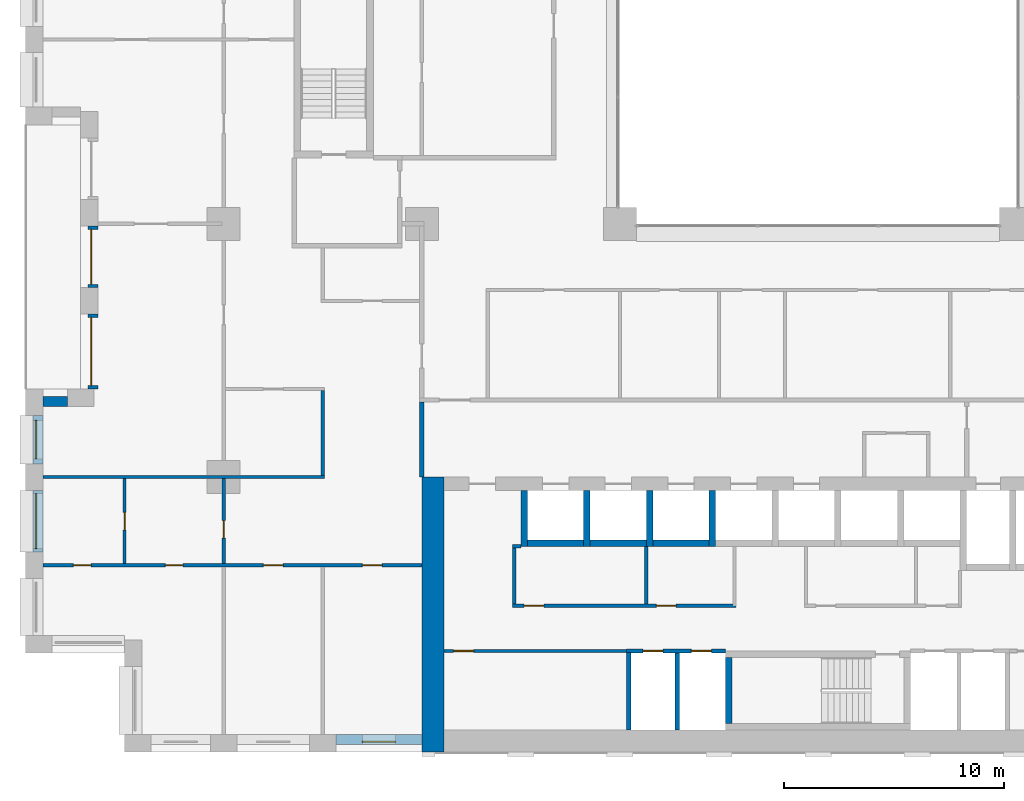
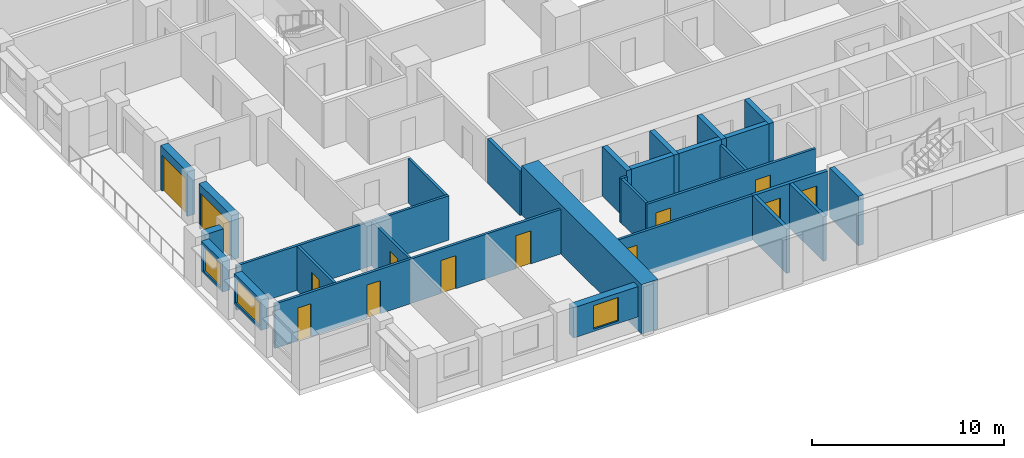
# One storey, part 9 of 20: 29 walls, 13 doors, 3 windows, 16 openings.
"""IFC4 building model written with IfcOpenShell, lengths in metres."""

from ifc_helpers import new_model, si_unit, direction, frame, frame_2d, origin, place, context, subcontext, project, spatial, rectangle, extrude, material, layer, layer_set, type_object, element, fill, save


model = new_model("IFC4")

# Units and contexts
model_context = context("Model", 3, precision=1e-05, world=origin(), true_north=direction((0.0, 1.0)))
body_context = subcontext(model_context, "Body", "Model", "MODEL_VIEW")
ifc_project = project(units=[si_unit("LENGTHUNIT", "METRE"), si_unit("AREAUNIT", "SQUARE_METRE"), si_unit("VOLUMEUNIT", "CUBIC_METRE"), si_unit("PLANEANGLEUNIT", "RADIAN"), si_unit("MASSUNIT", "GRAM", prefix="KILO")], contexts=[model_context])

# Site, building, storey
site_placement = place(None, origin())
site = spatial("IfcSite", under=ifc_project, at=site_placement, CompositionType="ELEMENT")
building_placement = place(site_placement, origin())
building = spatial("IfcBuilding", under=site, at=building_placement, Name="Brigalow Station Residences", CompositionType="ELEMENT")
storey_placement = place(building_placement, frame((0.0, 0.0, 60.449951171875)))
storey = spatial("IfcBuildingStorey", under=building, at=storey_placement, Name="L17", CompositionType="ELEMENT", Elevation=60.449951171875)

# Wall, opening, window
ifc_material_1 = material(Name="Clay brick masonry", Category="masonry")
ifc_layer_1 = layer(ifc_material_1, 0.449951171875)
ifc_layer_set_1 = layer_set([ifc_layer_1], Name="BRICK INFILL WALL 450")
wall_type_1 = type_object("IfcWallType", Name="BRICK INFILL WALL 450", PredefinedType="SOLIDWALL", material=ifc_layer_set_1)
wall_1_placement = place(storey_placement, frame((14.10009765625, 0.574951171875, 0.900146484375), z_axis=(0.0, 0.0, 1.0), x_axis=(1.0, 0.0, 0.0)))
wall_1 = element("IfcWall", 1, at=wall_1_placement, inside=storey, type_object=wall_type_1, Name="L17/ewall/W-L17-3", PredefinedType="SOLIDWALL", context=body_context, shape_type="SweptSolid", body=[
    extrude(rectangle(XDim=3.89990234375, YDim=0.449951171875, at=frame_2d((1.949951171875, 0.0))), origin(), (0.0, 0.0, 1.0), 1.929931640625),
])
opening_1_placement = place(wall_1_placement, frame((1.199951171875, 0.0, 0.14990234375)))
opening_1 = element("IfcOpeningElement", 2, at=opening_1_placement, cuts=wall_1, Name="Opening WT-1", PredefinedType="OPENING", context=body_context, shape_type="SweptSolid", body=[
    extrude(rectangle(XDim=1.5, YDim=1.5, at=frame_2d((0.75, 0.75))), frame((0.0, 0.23486328125, 0.0), z_axis=(0.0, -1.0, 0.0), x_axis=(1.0, 0.0, 0.0)), (0.0, 0.0, 1.0), 0.469970703125),
])
ifc_material_2 = material(Name="Anodised aluminium frame with double glazing", Category="aluminium")
window_type_1 = type_object("IfcWindowType", Name="WINDOW 1500x1500", PartitioningType="SINGLE_PANEL", PredefinedType="WINDOW", material=ifc_material_2)
window_1_placement = place(opening_1_placement, origin())
window_1 = element("IfcWindow", 3, at=window_1_placement, inside=storey, type_object=window_type_1, Name="L17/window/W-L17-3", OverallHeight=1.5, OverallWidth=1.5, PartitioningType="SINGLE_PANEL", PredefinedType="WINDOW", context=body_context, shape_type="SweptSolid", body=[
    extrude(rectangle(XDim=1.5, YDim=1.5, at=frame_2d((0.75, 0.75))), frame((0.0, -0.06494140625, 0.0), z_axis=(0.0, -1.0, 0.0), x_axis=(1.0, 0.0, 0.0)), (0.0, 0.0, 1.0), 0.06005859375),
])
fill(opening_1, window_1)

# Wall, opening, door
wall_2_placement = place(storey_placement, frame((3.074951171875, 23.89990234375, 0.0), z_axis=(0.0, 0.0, 1.0), x_axis=(0.0, -1.0, 0.0)))
wall_2 = element("IfcWall", 4, at=wall_2_placement, inside=storey, type_object=wall_type_1, Name="L17/ewall/W-L17-48", PredefinedType="SOLIDWALL", context=body_context, shape_type="SweptSolid", body=[
    extrude(rectangle(XDim=2.7998046875, YDim=0.449951171875, at=frame_2d((1.39990234375, 0.0))), origin(), (0.0, 0.0, 1.0), 2.830078125),
])
opening_2_placement = place(wall_2_placement, frame((0.14990234375, 0.0, 0.0)))
opening_2 = element("IfcOpeningElement", 5, at=opening_2_placement, cuts=wall_2, Name="Opening D-B2500", PredefinedType="OPENING", context=body_context, shape_type="SweptSolid", body=[
    extrude(rectangle(XDim=2.5, YDim=2.300048828125, at=frame_2d((1.25, 1.14990234375))), frame((0.0, 0.23486328125, 0.0), z_axis=(0.0, -1.0, 0.0), x_axis=(1.0, 0.0, 0.0)), (0.0, 0.0, 1.0), 0.469970703125),
])
ifc_material_3 = material(Name="Anodised aluminium frame with double glazing", Category="aluminium")
door_type_1 = type_object("IfcDoorType", Name="BALCONY SLIDING DOOR 2500x2300", OperationType="SLIDING_TO_LEFT", PredefinedType="DOOR", material=ifc_material_3)
door_1_placement = place(opening_2_placement, origin())
door_1 = element("IfcDoor", 6, at=door_1_placement, inside=storey, type_object=door_type_1, Name="L17/balcony-door/W-L17-48", OperationType="SLIDING_TO_LEFT", OverallHeight=2.300048828125, OverallWidth=2.5, PredefinedType="DOOR", context=body_context, shape_type="SweptSolid", body=[
    extrude(rectangle(XDim=2.5, YDim=2.300048828125, at=frame_2d((1.25, 1.14990234375))), frame((0.0, -0.06982421875, 0.0), z_axis=(0.0, -1.0, 0.0), x_axis=(1.0, 0.0, 0.0)), (0.0, 0.0, 1.0), 0.050048828125),
])
fill(opening_2, door_1)

wall_3_placement = place(storey_placement, frame((3.074951171875, 19.89990234375, 0.0), z_axis=(0.0, 0.0, 1.0), x_axis=(0.0, -1.0, 0.0)))
wall_3 = element("IfcWall", 7, at=wall_3_placement, inside=storey, type_object=wall_type_1, Name="L17/ewall/W-L17-49", PredefinedType="SOLIDWALL", context=body_context, shape_type="SweptSolid", body=[
    extrude(rectangle(XDim=3.39990234375, YDim=0.449951171875, at=frame_2d((1.699951171875, 0.0))), origin(), (0.0, 0.0, 1.0), 2.830078125),
])
opening_3_placement = place(wall_3_placement, frame((0.14990234375, 0.0, 0.0)))
opening_3 = element("IfcOpeningElement", 8, at=opening_3_placement, cuts=wall_3, Name="Opening D-B3100", PredefinedType="OPENING", context=body_context, shape_type="SweptSolid", body=[
    extrude(rectangle(XDim=3.10009765625, YDim=2.300048828125, at=frame_2d((1.550048828125, 1.14990234375))), frame((0.0, 0.23486328125, 0.0), z_axis=(0.0, -1.0, 0.0), x_axis=(1.0, 0.0, 0.0)), (0.0, 0.0, 1.0), 0.469970703125),
])
ifc_material_4 = material(Name="Anodised aluminium frame with double glazing", Category="aluminium")
door_type_2 = type_object("IfcDoorType", Name="BALCONY SLIDING DOOR 3100x2300", OperationType="SLIDING_TO_LEFT", PredefinedType="DOOR", material=ifc_material_4)
door_2_placement = place(opening_3_placement, origin())
door_2 = element("IfcDoor", 9, at=door_2_placement, inside=storey, type_object=door_type_2, Name="L17/balcony-door/W-L17-49", OperationType="SLIDING_TO_LEFT", OverallHeight=2.300048828125, OverallWidth=3.10009765625, PredefinedType="DOOR", context=body_context, shape_type="SweptSolid", body=[
    extrude(rectangle(XDim=3.10009765625, YDim=2.300048828125, at=frame_2d((1.550048828125, 1.14990234375))), frame((0.0, -0.06982421875, 0.0), z_axis=(0.0, -1.0, 0.0), x_axis=(1.0, 0.0, 0.0)), (0.0, 0.0, 1.0), 0.050048828125),
])
fill(opening_3, door_2)

# Wall
wall_4_placement = place(storey_placement, frame((1.89990234375, 15.925048828125, 0.900146484375), z_axis=(0.0, 0.0, 1.0), x_axis=(-1.0, 0.0, 0.0)))
element("IfcWall", 10, at=wall_4_placement, inside=storey, type_object=wall_type_1, Name="L17/ewall/W-L17-50", PredefinedType="SOLIDWALL", context=body_context, shape_type="SweptSolid", body=[
    extrude(rectangle(XDim=1.099853515625, YDim=0.449951171875, at=frame_2d((0.5498046875, 0.0))), origin(), (0.0, 0.0, 1.0), 1.929931640625),
])

# Wall, opening, window
wall_5_placement = place(storey_placement, frame((0.574951171875, 15.300048828125, 0.900146484375), z_axis=(0.0, 0.0, 1.0), x_axis=(0.0, -1.0, 0.0)))
wall_5 = element("IfcWall", 11, at=wall_5_placement, inside=storey, type_object=wall_type_1, Name="L17/ewall/W-L17-51", PredefinedType="SOLIDWALL", context=body_context, shape_type="SweptSolid", body=[
    extrude(rectangle(XDim=2.199951171875, YDim=0.449951171875, at=frame_2d((1.10009765625, 0.0))), origin(), (0.0, 0.0, 1.0), 1.929931640625),
])
opening_4_placement = place(wall_5_placement, frame((0.22509765625, 0.0, 0.14990234375)))
opening_4 = element("IfcOpeningElement", 12, at=opening_4_placement, cuts=wall_5, Name="Opening WT-4", PredefinedType="OPENING", context=body_context, shape_type="SweptSolid", body=[
    extrude(rectangle(XDim=1.75, YDim=1.5, at=frame_2d((0.875, 0.75))), frame((0.0, 0.23486328125, 0.0), z_axis=(0.0, -1.0, 0.0), x_axis=(1.0, 0.0, 0.0)), (0.0, 0.0, 1.0), 0.469970703125),
])
ifc_material_5 = material(Name="Anodised aluminium frame with double glazing", Category="aluminium")
window_type_2 = type_object("IfcWindowType", Name="WINDOW 1750x1500", PartitioningType="SINGLE_PANEL", PredefinedType="WINDOW", material=ifc_material_5)
window_2_placement = place(opening_4_placement, origin())
window_2 = element("IfcWindow", 13, at=window_2_placement, inside=storey, type_object=window_type_2, Name="L17/window/W-L17-51", OverallHeight=1.5, OverallWidth=1.75, PartitioningType="SINGLE_PANEL", PredefinedType="WINDOW", context=body_context, shape_type="SweptSolid", body=[
    extrude(rectangle(XDim=1.75, YDim=1.5, at=frame_2d((0.875, 0.75))), frame((0.0, -0.06494140625, 0.0), z_axis=(0.0, -1.0, 0.0), x_axis=(1.0, 0.0, 0.0)), (0.0, 0.0, 1.0), 0.06005859375),
])
fill(opening_4, window_2)

wall_6_placement = place(storey_placement, frame((0.574951171875, 11.89990234375, 0.900146484375), z_axis=(0.0, 0.0, 1.0), x_axis=(0.0, -1.0, 0.0)))
wall_6 = element("IfcWall", 14, at=wall_6_placement, inside=storey, type_object=wall_type_1, Name="L17/ewall/W-L17-52", PredefinedType="SOLIDWALL", context=body_context, shape_type="SweptSolid", body=[
    extrude(rectangle(XDim=2.7998046875, YDim=0.449951171875, at=frame_2d((1.39990234375, 0.0))), origin(), (0.0, 0.0, 1.0), 1.929931640625),
])
opening_5_placement = place(wall_6_placement, frame((0.14990234375, 0.0, 0.14990234375)))
opening_5 = element("IfcOpeningElement", 15, at=opening_5_placement, cuts=wall_6, Name="Opening WT-5", PredefinedType="OPENING", context=body_context, shape_type="SweptSolid", body=[
    extrude(rectangle(XDim=2.5, YDim=1.5, at=frame_2d((1.25, 0.75))), frame((0.0, 0.23486328125, 0.0), z_axis=(0.0, -1.0, 0.0), x_axis=(1.0, 0.0, 0.0)), (0.0, 0.0, 1.0), 0.469970703125),
])
ifc_material_6 = material(Name="Anodised aluminium frame with double glazing", Category="aluminium")
window_type_3 = type_object("IfcWindowType", Name="WINDOW 2500x1500", PartitioningType="SINGLE_PANEL", PredefinedType="WINDOW", material=ifc_material_6)
window_3_placement = place(opening_5_placement, origin())
window_3 = element("IfcWindow", 16, at=window_3_placement, inside=storey, type_object=window_type_3, Name="L17/window/W-L17-52", OverallHeight=1.5, OverallWidth=2.5, PartitioningType="SINGLE_PANEL", PredefinedType="WINDOW", context=body_context, shape_type="SweptSolid", body=[
    extrude(rectangle(XDim=2.5, YDim=1.5, at=frame_2d((1.25, 0.75))), frame((0.0, -0.06494140625, 0.0), z_axis=(0.0, -1.0, 0.0), x_axis=(1.0, 0.0, 0.0)), (0.0, 0.0, 1.0), 0.06005859375),
])
fill(opening_5, window_3)

# Walls
ifc_material_7 = material(Name="Concrete C80", Category="concrete")
ifc_layer_2 = layer(ifc_material_7, 1.0)
ifc_layer_set_2 = layer_set([ifc_layer_2], Name="CORE SHEAR WALL 1000 C80")
wall_type_2 = type_object("IfcWallType", Name="CORE SHEAR WALL 1000 C80", PredefinedType="SHEAR", material=ifc_layer_set_2)
wall_7_placement = place(storey_placement, frame((18.5, 0.0, 0.0), z_axis=(0.0, 0.0, 1.0), x_axis=(0.0, 1.0, 0.0)))
element("IfcWall", 17, at=wall_7_placement, inside=storey, type_object=wall_type_2, Name="CORE WALL OUT-W L17", PredefinedType="SHEAR", context=body_context, shape_type="SweptSolid", body=[
    extrude(rectangle(XDim=12.5, YDim=1.0, at=frame_2d((6.25, 0.0))), origin(), (0.0, 0.0, 1.0), 3.150146484375),
])
ifc_material_8 = material(Name="Concrete C80", Category="concrete")
ifc_layer_3 = layer(ifc_material_8, 0.300048828125)
ifc_layer_set_3 = layer_set([ifc_layer_3], Name="CORE SHEAR WALL 300 C80")
wall_type_3 = type_object("IfcWallType", Name="CORE SHEAR WALL 300 C80", PredefinedType="SHEAR", material=ifc_layer_set_3)
wall_8_placement = place(storey_placement, frame((22.800048828125, 9.5, 0.0), z_axis=(0.0, 0.0, 1.0), x_axis=(1.0, 0.0, 0.0)))
element("IfcWall", 18, at=wall_8_placement, inside=storey, type_object=wall_type_3, Name="CORE WALL SH-P1-S L17", PredefinedType="SHEAR", context=body_context, shape_type="SweptSolid", body=[
    extrude(rectangle(XDim=2.550048828125, YDim=0.300048828125, at=frame_2d((1.27490234375, 0.0))), origin(), (0.0, 0.0, 1.0), 3.150146484375),
])
wall_9_placement = place(storey_placement, frame((22.64990234375, 9.35009765625, 0.0), z_axis=(0.0, 0.0, 1.0), x_axis=(0.0, 1.0, 0.0)))
element("IfcWall", 19, at=wall_9_placement, inside=storey, type_object=wall_type_3, Name="CORE WALL SH-P1-W L17", PredefinedType="SHEAR", context=body_context, shape_type="SweptSolid", body=[
    extrude(rectangle(XDim=2.5498046875, YDim=0.300048828125, at=frame_2d((1.27490234375, 0.0))), origin(), (0.0, 0.0, 1.0), 3.150146484375),
])
wall_10_placement = place(storey_placement, frame((25.64990234375, 9.5, 0.0), z_axis=(0.0, 0.0, 1.0), x_axis=(1.0, 0.0, 0.0)))
element("IfcWall", 20, at=wall_10_placement, inside=storey, type_object=wall_type_3, Name="CORE WALL SH-P2-S L17", PredefinedType="SHEAR", context=body_context, shape_type="SweptSolid", body=[
    extrude(rectangle(XDim=2.550048828125, YDim=0.300048828125, at=frame_2d((1.27490234375, 0.0))), origin(), (0.0, 0.0, 1.0), 3.150146484375),
])
wall_11_placement = place(storey_placement, frame((25.5, 9.35009765625, 0.0), z_axis=(0.0, 0.0, 1.0), x_axis=(0.0, 1.0, 0.0)))
element("IfcWall", 21, at=wall_11_placement, inside=storey, type_object=wall_type_3, Name="CORE WALL SH-P2-W L17", PredefinedType="SHEAR", context=body_context, shape_type="SweptSolid", body=[
    extrude(rectangle(XDim=2.5498046875, YDim=0.300048828125, at=frame_2d((1.27490234375, 0.0))), origin(), (0.0, 0.0, 1.0), 3.150146484375),
])
wall_12_placement = place(storey_placement, frame((28.5, 9.5, 0.0), z_axis=(0.0, 0.0, 1.0), x_axis=(1.0, 0.0, 0.0)))
element("IfcWall", 22, at=wall_12_placement, inside=storey, type_object=wall_type_3, Name="CORE WALL SH-P3-S L17", PredefinedType="SHEAR", context=body_context, shape_type="SweptSolid", body=[
    extrude(rectangle(XDim=2.550048828125, YDim=0.300048828125, at=frame_2d((1.27490234375, 0.0))), origin(), (0.0, 0.0, 1.0), 3.150146484375),
])
for number, where, z_axis, x_axis, name in (
    (23, (28.35009765625, 9.35009765625, 0.0), (0.0, 0.0, 1.0), (0.0, 1.0, 0.0), "CORE WALL SH-P3-W L17"),
    (24, (31.199951171875, 9.35009765625, 0.0), (0.0, 0.0, 1.0), (0.0, 1.0, 0.0), "CORE WALL SH-P4-W L17"),
):
    element("IfcWall", number, at=place(storey_placement, frame(where, z_axis=z_axis, x_axis=x_axis)), inside=storey, type_object=wall_type_3, Name=name, PredefinedType="SHEAR", context=body_context, shape_type="SweptSolid", body=[
        extrude(rectangle(XDim=2.5498046875, YDim=0.300048828125, at=frame_2d((1.27490234375, 0.0))), origin(), (0.0, 0.0, 1.0), 3.150146484375),
    ])
wall_13_placement = place(storey_placement, frame((31.949951171875, 1.300048828125, 0.0), z_axis=(0.0, 0.0, 1.0), x_axis=(0.0, 1.0, 0.0)))
element("IfcWall", 25, at=wall_13_placement, inside=storey, type_object=wall_type_3, Name="CORE WALL ST-S2-W L17", PredefinedType="SHEAR", context=body_context, shape_type="SweptSolid", body=[
    extrude(rectangle(XDim=3.0, YDim=0.300048828125, at=frame_2d((1.5, 0.0))), origin(), (0.0, 0.0, 1.0), 3.150146484375),
])

# Wall, openings, doors
ifc_material_9 = material(Name="Concrete blockwork", Category="masonry")
ifc_layer_4 = layer(ifc_material_9, 0.199951171875)
ifc_layer_set_4 = layer_set([ifc_layer_4], Name="FIRE RATED CORE PARTITION 200")
wall_type_4 = type_object("IfcWallType", Name="FIRE RATED CORE PARTITION 200", PredefinedType="PARTITIONING", material=ifc_layer_set_4)
wall_14_placement = place(storey_placement, frame((27.300048828125, 4.60009765625, 0.0), z_axis=(0.0, 0.0, 1.0), x_axis=(1.0, 0.0, 0.0)))
wall_14 = element("IfcWall", 26, at=wall_14_placement, inside=storey, type_object=wall_type_4, Name="PW-5017", PredefinedType="PARTITIONING", context=body_context, shape_type="SweptSolid", body=[
    extrude(rectangle(XDim=4.5, YDim=0.199951171875, at=frame_2d((2.25, 0.0))), origin(), (0.0, 0.0, 1.0), 2.830078125),
])
opening_6_placement = place(wall_14_placement, frame((0.75, 0.0, 0.0)))
opening_6 = element("IfcOpeningElement", 27, at=opening_6_placement, cuts=wall_14, Name="Opening D-5007", PredefinedType="OPENING", context=body_context, shape_type="SweptSolid", body=[
    extrude(rectangle(XDim=0.89990234375, YDim=2.10009765625, at=frame_2d((0.449951171875, 1.050048828125))), frame((0.0, 0.10986328125, 0.0), z_axis=(0.0, -1.0, 0.0), x_axis=(1.0, 0.0, 0.0)), (0.0, 0.0, 1.0), 0.219970703125),
])
opening_7_placement = place(wall_14_placement, frame((2.949951171875, 0.0, 0.0)))
opening_7 = element("IfcOpeningElement", 28, at=opening_7_placement, cuts=wall_14, Name="Opening D-5008", PredefinedType="OPENING", context=body_context, shape_type="SweptSolid", body=[
    extrude(rectangle(XDim=0.89990234375, YDim=2.10009765625, at=frame_2d((0.449951171875, 1.050048828125))), frame((0.0, 0.10986328125, 0.0), z_axis=(0.0, -1.0, 0.0), x_axis=(1.0, 0.0, 0.0)), (0.0, 0.0, 1.0), 0.219970703125),
])
ifc_material_10 = material(Name="Steel fire door leaf in steel frame", Category="steel")
door_type_3 = type_object("IfcDoorType", Name="RISER ACCESS DOOR 900 x 2100 FD120", OperationType="SINGLE_SWING_LEFT", PredefinedType="DOOR", material=ifc_material_10)
door_3_placement = place(opening_6_placement, frame((0.89990234375, 0.0, 0.0), z_axis=(0.0, 0.0, 1.0), x_axis=(-1.0, 0.0, 0.0)))
door_3 = element("IfcDoor", 29, at=door_3_placement, inside=storey, type_object=door_type_3, Name="D-5007", OperationType="SINGLE_SWING_RIGHT", OverallHeight=2.10009765625, OverallWidth=0.89990234375, PredefinedType="DOOR", context=body_context, shape_type="SweptSolid", body=[
    extrude(rectangle(XDim=0.89990234375, YDim=2.10009765625, at=frame_2d((0.449951171875, 1.050048828125))), frame((0.0, 0.02490234375, 0.0), z_axis=(0.0, -1.0, 0.0), x_axis=(1.0, 0.0, 0.0)), (0.0, 0.0, 1.0), 0.050048828125),
])
fill(opening_6, door_3)
door_4_placement = place(opening_7_placement, frame((0.89990234375, 0.0, 0.0), z_axis=(0.0, 0.0, 1.0), x_axis=(-1.0, 0.0, 0.0)))
door_4 = element("IfcDoor", 30, at=door_4_placement, inside=storey, type_object=door_type_3, Name="D-5008", OperationType="SINGLE_SWING_RIGHT", OverallHeight=2.10009765625, OverallWidth=0.89990234375, PredefinedType="DOOR", context=body_context, shape_type="SweptSolid", body=[
    extrude(rectangle(XDim=0.89990234375, YDim=2.10009765625, at=frame_2d((0.449951171875, 1.050048828125))), frame((0.0, 0.02490234375, 0.0), z_axis=(0.0, -1.0, 0.0), x_axis=(1.0, 0.0, 0.0)), (0.0, 0.0, 1.0), 0.050048828125),
])
fill(opening_7, door_4)

# Walls
wall_15_placement = place(storey_placement, frame((27.39990234375, 1.0, 0.0), z_axis=(0.0, 0.0, 1.0), x_axis=(0.0, 1.0, 0.0)))
element("IfcWall", 31, at=wall_15_placement, inside=storey, type_object=wall_type_4, Name="PW-5027", PredefinedType="PARTITIONING", context=body_context, shape_type="SweptSolid", body=[
    extrude(rectangle(XDim=3.52490234375, YDim=0.199951171875, at=frame_2d((1.762451171875, 0.0))), origin(), (0.0, 0.0, 1.0), 2.830078125),
])
wall_16_placement = place(storey_placement, frame((29.60009765625, 1.0, 0.0), z_axis=(0.0, 0.0, 1.0), x_axis=(0.0, 1.0, 0.0)))
element("IfcWall", 32, at=wall_16_placement, inside=storey, type_object=wall_type_4, Name="PW-5006", PredefinedType="PARTITIONING", context=body_context, shape_type="SweptSolid", body=[
    extrude(rectangle(XDim=3.5, YDim=0.199951171875, at=frame_2d((1.75, 0.0))), origin(), (0.0, 0.0, 1.0), 2.830078125),
])
wall_17_placement = place(storey_placement, frame((18.0, 12.5, 0.0), z_axis=(0.0, 0.0, 1.0), x_axis=(0.0, 1.0, 0.0)))
element("IfcWall", 33, at=wall_17_placement, inside=storey, type_object=wall_type_4, Name="PW-5013", PredefinedType="PARTITIONING", context=body_context, shape_type="SweptSolid", body=[
    extrude(rectangle(XDim=3.39990234375, YDim=0.199951171875, at=frame_2d((1.699951171875, 0.0))), origin(), (0.0, 0.0, 1.0), 2.830078125),
])

# Wall, openings, doors
ifc_material_11 = material(Name="Plasterboard on steel stud partition", Category="steel")
ifc_layer_5 = layer(ifc_material_11, 0.14990234375)
ifc_layer_set_5 = layer_set([ifc_layer_5], Name="FLAT PARTITION 150")
wall_type_5 = type_object("IfcWallType", Name="FLAT PARTITION 150", PredefinedType="PARTITIONING", material=ifc_layer_set_5)
wall_18_placement = place(storey_placement, frame((0.800048828125, 8.5, 0.0), z_axis=(0.0, 0.0, 1.0), x_axis=(1.0, 0.0, 0.0)))
wall_18 = element("IfcWall", 34, at=wall_18_placement, inside=storey, type_object=wall_type_5, Name="PW-1F11", PredefinedType="PARTITIONING", context=body_context, shape_type="SweptSolid", body=[
    extrude(rectangle(XDim=17.199951171875, YDim=0.14990234375, at=frame_2d((8.60009765625, 0.0))), origin(), (0.0, 0.0, 1.0), 2.830078125),
])
opening_8_placement = place(wall_18_placement, frame((10.0, 0.0, 0.0)))
opening_8 = element("IfcOpeningElement", 35, at=opening_8_placement, cuts=wall_18, Name="Opening D-1F04", PredefinedType="OPENING", context=body_context, shape_type="SweptSolid", body=[
    extrude(rectangle(XDim=0.89990234375, YDim=2.10009765625, at=frame_2d((0.449951171875, 1.050048828125))), frame((0.0, 0.0849609375, 0.0), z_axis=(0.0, -1.0, 0.0), x_axis=(1.0, 0.0, 0.0)), (0.0, 0.0, 1.0), 0.169921875),
])
opening_9_placement = place(wall_18_placement, frame((14.5, 0.0, 0.0)))
opening_9 = element("IfcOpeningElement", 36, at=opening_9_placement, cuts=wall_18, Name="Opening D-1F05", PredefinedType="OPENING", context=body_context, shape_type="SweptSolid", body=[
    extrude(rectangle(XDim=0.89990234375, YDim=2.10009765625, at=frame_2d((0.449951171875, 1.050048828125))), frame((0.0, 0.0849609375, 0.0), z_axis=(0.0, -1.0, 0.0), x_axis=(1.0, 0.0, 0.0)), (0.0, 0.0, 1.0), 0.169921875),
])
opening_10_placement = place(wall_18_placement, frame((1.375, 0.0, 0.0)))
opening_10 = element("IfcOpeningElement", 37, at=opening_10_placement, cuts=wall_18, Name="Opening D-1F09", PredefinedType="OPENING", context=body_context, shape_type="SweptSolid", body=[
    extrude(rectangle(XDim=0.800048828125, YDim=2.10009765625, at=frame_2d((0.39990234375, 1.050048828125))), frame((0.0, 0.0849609375, 0.0), z_axis=(0.0, -1.0, 0.0), x_axis=(1.0, 0.0, 0.0)), (0.0, 0.0, 1.0), 0.169921875),
])
opening_11_placement = place(wall_18_placement, frame((5.550048828125, 0.0, 0.0)))
opening_11 = element("IfcOpeningElement", 38, at=opening_11_placement, cuts=wall_18, Name="Opening D-1F16", PredefinedType="OPENING", context=body_context, shape_type="SweptSolid", body=[
    extrude(rectangle(XDim=0.800048828125, YDim=2.10009765625, at=frame_2d((0.39990234375, 1.050048828125))), frame((0.0, 0.0849609375, 0.0), z_axis=(0.0, -1.0, 0.0), x_axis=(1.0, 0.0, 0.0)), (0.0, 0.0, 1.0), 0.169921875),
])
ifc_material_12 = material(Name="Solid-core timber door leaf", Category="wood")
door_type_4 = type_object("IfcDoorType", Name="INTERNAL DOOR 800 x 2100", OperationType="SINGLE_SWING_LEFT", PredefinedType="DOOR", material=ifc_material_12)
door_5_placement = place(opening_10_placement, origin())
door_5 = element("IfcDoor", 39, at=door_5_placement, inside=storey, type_object=door_type_4, Name="D-1F09", OperationType="SINGLE_SWING_LEFT", OverallHeight=2.10009765625, OverallWidth=0.800048828125, PredefinedType="DOOR", context=body_context, shape_type="SweptSolid", body=[
    extrude(rectangle(XDim=0.800048828125, YDim=2.10009765625, at=frame_2d((0.39990234375, 1.050048828125))), frame((0.0, 0.02490234375, 0.0), z_axis=(0.0, -1.0, 0.0), x_axis=(1.0, 0.0, 0.0)), (0.0, 0.0, 1.0), 0.050048828125),
])
fill(opening_10, door_5)
door_6_placement = place(opening_11_placement, origin())
door_6 = element("IfcDoor", 40, at=door_6_placement, inside=storey, type_object=door_type_4, Name="D-1F16", OperationType="SINGLE_SWING_LEFT", OverallHeight=2.10009765625, OverallWidth=0.800048828125, PredefinedType="DOOR", context=body_context, shape_type="SweptSolid", body=[
    extrude(rectangle(XDim=0.800048828125, YDim=2.10009765625, at=frame_2d((0.39990234375, 1.050048828125))), frame((0.0, 0.02490234375, 0.0), z_axis=(0.0, -1.0, 0.0), x_axis=(1.0, 0.0, 0.0)), (0.0, 0.0, 1.0), 0.050048828125),
])
fill(opening_11, door_6)
ifc_material_13 = material(Name="Solid-core timber door leaf", Category="wood")
door_type_5 = type_object("IfcDoorType", Name="INTERNAL DOOR 900 x 2100", OperationType="SINGLE_SWING_LEFT", PredefinedType="DOOR", material=ifc_material_13)
door_7_placement = place(opening_8_placement, frame((0.89990234375, 0.0, 0.0), z_axis=(0.0, 0.0, 1.0), x_axis=(-1.0, 0.0, 0.0)))
door_7 = element("IfcDoor", 41, at=door_7_placement, inside=storey, type_object=door_type_5, Name="D-1F04", OperationType="SINGLE_SWING_RIGHT", OverallHeight=2.10009765625, OverallWidth=0.89990234375, PredefinedType="DOOR", context=body_context, shape_type="SweptSolid", body=[
    extrude(rectangle(XDim=0.89990234375, YDim=2.10009765625, at=frame_2d((0.449951171875, 1.050048828125))), frame((0.0, 0.02490234375, 0.0), z_axis=(0.0, -1.0, 0.0), x_axis=(1.0, 0.0, 0.0)), (0.0, 0.0, 1.0), 0.050048828125),
])
fill(opening_8, door_7)
door_8_placement = place(opening_9_placement, frame((0.89990234375, 0.0, 0.0), z_axis=(0.0, 0.0, 1.0), x_axis=(-1.0, 0.0, 0.0)))
door_8 = element("IfcDoor", 42, at=door_8_placement, inside=storey, type_object=door_type_5, Name="D-1F05", OperationType="SINGLE_SWING_RIGHT", OverallHeight=2.10009765625, OverallWidth=0.89990234375, PredefinedType="DOOR", context=body_context, shape_type="SweptSolid", body=[
    extrude(rectangle(XDim=0.89990234375, YDim=2.10009765625, at=frame_2d((0.449951171875, 1.050048828125))), frame((0.0, 0.02490234375, 0.0), z_axis=(0.0, -1.0, 0.0), x_axis=(1.0, 0.0, 0.0)), (0.0, 0.0, 1.0), 0.050048828125),
])
fill(opening_9, door_8)

# Wall
wall_19_placement = place(storey_placement, frame((0.800048828125, 12.5, 0.0), z_axis=(0.0, 0.0, 1.0), x_axis=(1.0, 0.0, 0.0)))
element("IfcWall", 43, at=wall_19_placement, inside=storey, type_object=wall_type_5, Name="PW-1F13", PredefinedType="PARTITIONING", context=body_context, shape_type="SweptSolid", body=[
    extrude(rectangle(XDim=12.77490234375, YDim=0.14990234375, at=frame_2d((6.387451171875, 0.0))), origin(), (0.0, 0.0, 1.0), 2.830078125),
])

# Wall, opening, door
wall_20_placement = place(storey_placement, frame((9.0, 8.574951171875, 0.0), z_axis=(0.0, 0.0, 1.0), x_axis=(0.0, 1.0, 0.0)))
wall_20 = element("IfcWall", 44, at=wall_20_placement, inside=storey, type_object=wall_type_5, Name="PW-1F50", PredefinedType="PARTITIONING", context=body_context, shape_type="SweptSolid", body=[
    extrude(rectangle(XDim=3.85009765625, YDim=0.14990234375, at=frame_2d((1.925048828125, 0.0))), origin(), (0.0, 0.0, 1.0), 2.830078125),
])
opening_12_placement = place(wall_20_placement, frame((1.14990234375, 0.0, 0.0)))
opening_12 = element("IfcOpeningElement", 45, at=opening_12_placement, cuts=wall_20, Name="Opening D-1F15", PredefinedType="OPENING", context=body_context, shape_type="SweptSolid", body=[
    extrude(rectangle(XDim=0.800048828125, YDim=2.10009765625, at=frame_2d((0.39990234375, 1.050048828125))), frame((0.0, 0.0849609375, 0.0), z_axis=(0.0, -1.0, 0.0), x_axis=(1.0, 0.0, 0.0)), (0.0, 0.0, 1.0), 0.169921875),
])
door_9_placement = place(opening_12_placement, origin())
door_9 = element("IfcDoor", 46, at=door_9_placement, inside=storey, type_object=door_type_4, Name="D-1F15", OperationType="SINGLE_SWING_LEFT", OverallHeight=2.10009765625, OverallWidth=0.800048828125, PredefinedType="DOOR", context=body_context, shape_type="SweptSolid", body=[
    extrude(rectangle(XDim=0.800048828125, YDim=2.10009765625, at=frame_2d((0.39990234375, 1.050048828125))), frame((0.0, 0.02490234375, 0.0), z_axis=(0.0, -1.0, 0.0), x_axis=(1.0, 0.0, 0.0)), (0.0, 0.0, 1.0), 0.050048828125),
])
fill(opening_12, door_9)

# Wall
wall_21_placement = place(storey_placement, frame((13.5, 12.574951171875, 0.0), z_axis=(0.0, 0.0, 1.0), x_axis=(0.0, 1.0, 0.0)))
element("IfcWall", 47, at=wall_21_placement, inside=storey, type_object=wall_type_5, Name="PW-1F56", PredefinedType="PARTITIONING", context=body_context, shape_type="SweptSolid", body=[
    extrude(rectangle(XDim=3.85009765625, YDim=0.14990234375, at=frame_2d((1.925048828125, 0.0))), origin(), (0.0, 0.0, 1.0), 2.830078125),
])

# Wall, opening, door
wall_22_placement = place(storey_placement, frame((4.5, 8.574951171875, 0.0), z_axis=(0.0, 0.0, 1.0), x_axis=(0.0, 1.0, 0.0)))
wall_22 = element("IfcWall", 48, at=wall_22_placement, inside=storey, type_object=wall_type_5, Name="PW-1F59", PredefinedType="PARTITIONING", context=body_context, shape_type="SweptSolid", body=[
    extrude(rectangle(XDim=3.85009765625, YDim=0.14990234375, at=frame_2d((1.925048828125, 0.0))), origin(), (0.0, 0.0, 1.0), 2.830078125),
])
opening_13_placement = place(wall_22_placement, frame((1.52490234375, 0.0, 0.0)))
opening_13 = element("IfcOpeningElement", 49, at=opening_13_placement, cuts=wall_22, Name="Opening D-1F10", PredefinedType="OPENING", context=body_context, shape_type="SweptSolid", body=[
    extrude(rectangle(XDim=0.800048828125, YDim=2.10009765625, at=frame_2d((0.39990234375, 1.050048828125))), frame((0.0, 0.0849609375, 0.0), z_axis=(0.0, -1.0, 0.0), x_axis=(1.0, 0.0, 0.0)), (0.0, 0.0, 1.0), 0.169921875),
])
door_10_placement = place(opening_13_placement, origin())
door_10 = element("IfcDoor", 50, at=door_10_placement, inside=storey, type_object=door_type_4, Name="D-1F10", OperationType="SINGLE_SWING_LEFT", OverallHeight=2.10009765625, OverallWidth=0.800048828125, PredefinedType="DOOR", context=body_context, shape_type="SweptSolid", body=[
    extrude(rectangle(XDim=0.800048828125, YDim=2.10009765625, at=frame_2d((0.39990234375, 1.050048828125))), frame((0.0, 0.02490234375, 0.0), z_axis=(0.0, -1.0, 0.0), x_axis=(1.0, 0.0, 0.0)), (0.0, 0.0, 1.0), 0.050048828125),
])
fill(opening_13, door_10)

ifc_material_14 = material(Name="Plasterboard on steel studs", Category="steel")
ifc_layer_6 = layer(ifc_material_14, 0.14990234375)
ifc_layer_set_6 = layer_set([ifc_layer_6], Name="SERVICE ROOM PARTITION 150")
wall_type_6 = type_object("IfcWallType", Name="SERVICE ROOM PARTITION 150", PredefinedType="PARTITIONING", material=ifc_layer_set_6)
wall_23_placement = place(storey_placement, frame((19.0, 4.60009765625, 0.0), z_axis=(0.0, 0.0, 1.0), x_axis=(1.0, 0.0, 0.0)))
wall_23 = element("IfcWall", 51, at=wall_23_placement, inside=storey, type_object=wall_type_6, Name="PW-5019", PredefinedType="PARTITIONING", context=body_context, shape_type="SweptSolid", body=[
    extrude(rectangle(XDim=8.300048828125, YDim=0.14990234375, at=frame_2d((4.14990234375, 0.0))), origin(), (0.0, 0.0, 1.0), 2.830078125),
])
opening_14_placement = place(wall_23_placement, frame((0.449951171875, 0.0, 0.0)))
opening_14 = element("IfcOpeningElement", 52, at=opening_14_placement, cuts=wall_23, Name="Opening D-5025", PredefinedType="OPENING", context=body_context, shape_type="SweptSolid", body=[
    extrude(rectangle(XDim=0.89990234375, YDim=2.10009765625, at=frame_2d((0.449951171875, 1.050048828125))), frame((0.0, 0.0849609375, 0.0), z_axis=(0.0, -1.0, 0.0), x_axis=(1.0, 0.0, 0.0)), (0.0, 0.0, 1.0), 0.169921875),
])
ifc_material_15 = material(Name="Steel door leaf in steel frame", Category="steel")
door_type_6 = type_object("IfcDoorType", Name="SERVICE ROOM DOOR 900 x 2100 FD60", OperationType="SINGLE_SWING_LEFT", PredefinedType="DOOR", material=ifc_material_15)
door_11_placement = place(opening_14_placement, frame((0.89990234375, 0.0, 0.0), z_axis=(0.0, 0.0, 1.0), x_axis=(-1.0, 0.0, 0.0)))
door_11 = element("IfcDoor", 53, at=door_11_placement, inside=storey, type_object=door_type_6, Name="D-5025", OperationType="SINGLE_SWING_RIGHT", OverallHeight=2.10009765625, OverallWidth=0.89990234375, PredefinedType="DOOR", context=body_context, shape_type="SweptSolid", body=[
    extrude(rectangle(XDim=0.89990234375, YDim=2.10009765625, at=frame_2d((0.449951171875, 1.050048828125))), frame((0.0, 0.02490234375, 0.0), z_axis=(0.0, -1.0, 0.0), x_axis=(1.0, 0.0, 0.0)), (0.0, 0.0, 1.0), 0.050048828125),
])
fill(opening_14, door_11)

# Wall, openings, doors
wall_24_placement = place(storey_placement, frame((22.125, 6.64990234375, 0.0), z_axis=(0.0, 0.0, 1.0), x_axis=(1.0, 0.0, 0.0)))
wall_24 = element("IfcWall", 54, at=wall_24_placement, inside=storey, type_object=wall_type_6, Name="PW-5148", PredefinedType="PARTITIONING", context=body_context, shape_type="SweptSolid", body=[
    extrude(rectangle(XDim=10.14990234375, YDim=0.14990234375, at=frame_2d((5.074951171875, 0.0))), origin(), (0.0, 0.0, 1.0), 2.830078125),
])
opening_15_placement = place(wall_24_placement, frame((0.52490234375, 0.0, 0.0)))
opening_15 = element("IfcOpeningElement", 55, at=opening_15_placement, cuts=wall_24, Name="Opening D-5021", PredefinedType="OPENING", context=body_context, shape_type="SweptSolid", body=[
    extrude(rectangle(XDim=0.89990234375, YDim=2.10009765625, at=frame_2d((0.449951171875, 1.050048828125))), frame((0.0, 0.0849609375, 0.0), z_axis=(0.0, -1.0, 0.0), x_axis=(1.0, 0.0, 0.0)), (0.0, 0.0, 1.0), 0.169921875),
])
opening_16_placement = place(wall_24_placement, frame((6.52490234375, 0.0, 0.0)))
opening_16 = element("IfcOpeningElement", 56, at=opening_16_placement, cuts=wall_24, Name="Opening D-5083", PredefinedType="OPENING", context=body_context, shape_type="SweptSolid", body=[
    extrude(rectangle(XDim=0.89990234375, YDim=2.10009765625, at=frame_2d((0.449951171875, 1.050048828125))), frame((0.0, 0.0849609375, 0.0), z_axis=(0.0, -1.0, 0.0), x_axis=(1.0, 0.0, 0.0)), (0.0, 0.0, 1.0), 0.169921875),
])
door_12_placement = place(opening_15_placement, origin())
door_12 = element("IfcDoor", 57, at=door_12_placement, inside=storey, type_object=door_type_6, Name="D-5021", OperationType="SINGLE_SWING_LEFT", OverallHeight=2.10009765625, OverallWidth=0.89990234375, PredefinedType="DOOR", context=body_context, shape_type="SweptSolid", body=[
    extrude(rectangle(XDim=0.89990234375, YDim=2.10009765625, at=frame_2d((0.449951171875, 1.050048828125))), frame((0.0, 0.02490234375, 0.0), z_axis=(0.0, -1.0, 0.0), x_axis=(1.0, 0.0, 0.0)), (0.0, 0.0, 1.0), 0.050048828125),
])
fill(opening_15, door_12)
door_13_placement = place(opening_16_placement, origin())
door_13 = element("IfcDoor", 58, at=door_13_placement, inside=storey, type_object=door_type_6, Name="D-5083", OperationType="SINGLE_SWING_LEFT", OverallHeight=2.10009765625, OverallWidth=0.89990234375, PredefinedType="DOOR", context=body_context, shape_type="SweptSolid", body=[
    extrude(rectangle(XDim=0.89990234375, YDim=2.10009765625, at=frame_2d((0.449951171875, 1.050048828125))), frame((0.0, 0.02490234375, 0.0), z_axis=(0.0, -1.0, 0.0), x_axis=(1.0, 0.0, 0.0)), (0.0, 0.0, 1.0), 0.050048828125),
])
fill(opening_16, door_13)

# Walls
wall_25_placement = place(storey_placement, frame((22.125, 9.35009765625, 0.0), z_axis=(0.0, 0.0, 1.0), x_axis=(1.0, 0.0, 0.0)))
element("IfcWall", 59, at=wall_25_placement, inside=storey, type_object=wall_type_6, Name="PW-5022", PredefinedType="PARTITIONING", context=body_context, shape_type="SweptSolid", body=[
    extrude(rectangle(XDim=0.375, YDim=0.14990234375, at=frame_2d((0.1875, 0.0))), origin(), (0.0, 0.0, 1.0), 2.830078125),
])
wall_26_placement = place(storey_placement, frame((22.199951171875, 6.72509765625, 0.0), z_axis=(0.0, 0.0, 1.0), x_axis=(0.0, 1.0, 0.0)))
element("IfcWall", 60, at=wall_26_placement, inside=storey, type_object=wall_type_6, Name="PW-5030", PredefinedType="PARTITIONING", context=body_context, shape_type="SweptSolid", body=[
    extrude(rectangle(XDim=2.5498046875, YDim=0.14990234375, at=frame_2d((1.27490234375, 0.0))), origin(), (0.0, 0.0, 1.0), 2.830078125),
])
wall_27_placement = place(storey_placement, frame((28.199951171875, 6.72509765625, 0.0), z_axis=(0.0, 0.0, 1.0), x_axis=(0.0, 1.0, 0.0)))
element("IfcWall", 61, at=wall_27_placement, inside=storey, type_object=wall_type_6, Name="PW-5153", PredefinedType="PARTITIONING", context=body_context, shape_type="SweptSolid", body=[
    extrude(rectangle(XDim=2.625, YDim=0.14990234375, at=frame_2d((1.3125, 0.0))), origin(), (0.0, 0.0, 1.0), 2.830078125),
])

save(model, "model.ifc")
